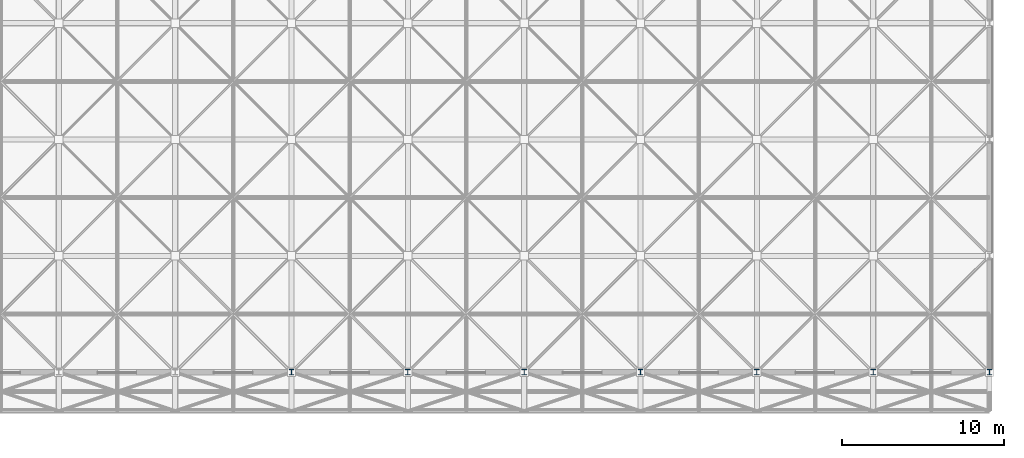
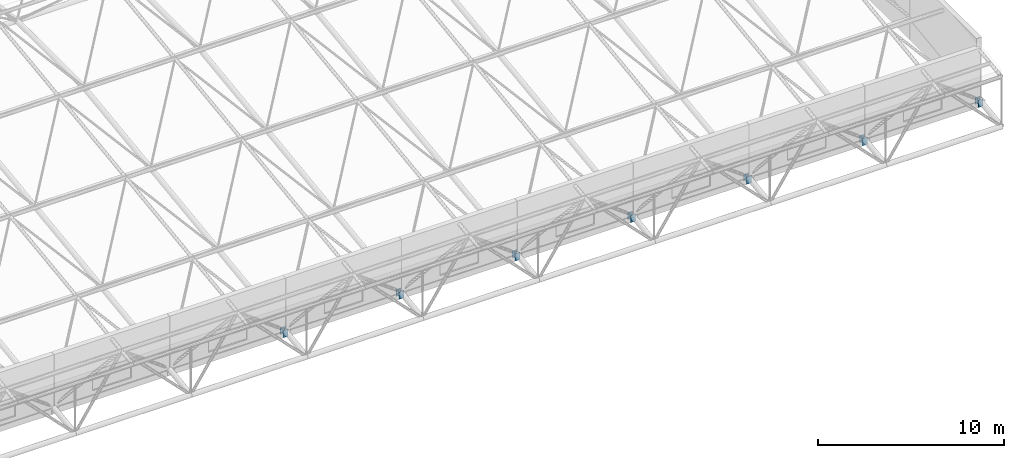
# One storey, part 15 of 103: 7 columns.
"""IFC4 building model written with IfcOpenShell, lengths in metres."""

from ifc_helpers import new_model, si_unit, direction, frame, origin, origin_2d, place, context, subcontext, project, spatial, i_section, extrude, material, material_profile, profile_set, type_object, element, save


model = new_model("IFC4")

# Units and contexts
model_context = context("Model", 3, precision=1e-05, world=origin(), true_north=direction((0.0, 1.0)))
body_context = subcontext(model_context, "Body", "Model", "MODEL_VIEW")
ifc_project = project(units=[si_unit("LENGTHUNIT", "METRE"), si_unit("AREAUNIT", "SQUARE_METRE"), si_unit("VOLUMEUNIT", "CUBIC_METRE"), si_unit("PLANEANGLEUNIT", "RADIAN"), si_unit("MASSUNIT", "GRAM", prefix="KILO")], contexts=[model_context])

# Site, building, storey
site_placement = place(None, origin())
site = spatial("IfcSite", under=ifc_project, at=site_placement, CompositionType="ELEMENT")
building_placement = place(site_placement, origin())
building = spatial("IfcBuilding", under=site, at=building_placement, Name="Thalmaran Polytechnic", CompositionType="ELEMENT")
storey_placement = place(building_placement, frame((0.0, 0.0, 14.39990234375)))
storey = spatial("IfcBuildingStorey", under=building, at=storey_placement, Name="L03", CompositionType="ELEMENT", Elevation=14.39990234375)

# Columns
ifc_material = material(Name="Steel S355", Category="steel")
ifc_material_profile = material_profile(ifc_material, i_section(OverallWidth=0.300048828125, OverallDepth=0.340087890625, WebThickness=0.011962890625, FlangeThickness=0.021484375, at=origin_2d()), Name="HEB 340")
ifc_profile_set = profile_set([ifc_material_profile], Name="Steel S355")
column_type = type_object("IfcColumnType", Name="COL-SC1", PredefinedType="COLUMN", material=ifc_profile_set)
for number, where, z_axis, x_axis, name in (
    (1, (129.60009765625, 0.0, 0.0), (0.0, 0.0, 1.0), (1.0, 0.0, 0.0), "Space-Frame Bearing Pedestal (18,0)"),
    (2, (136.800048828125, 0.0, 0.0), (0.0, 0.0, 1.0), (1.0, 0.0, 0.0), "Space-Frame Bearing Pedestal (19,0)"),
    (3, (144.0, 0.0, 0.0), (0.0, 0.0, 1.0), (1.0, 0.0, 0.0), "Space-Frame Bearing Pedestal (20,0)"),
    (4, (151.199951171875, 0.0, 0.0), (0.0, 0.0, 1.0), (1.0, 0.0, 0.0), "Space-Frame Bearing Pedestal (21,0)"),
    (5, (158.39990234375, 0.0, 0.0), (0.0, 0.0, 1.0), (1.0, 0.0, 0.0), "Space-Frame Bearing Pedestal (22,0)"),
    (6, (165.60009765625, 0.0, 0.0), (0.0, 0.0, 1.0), (1.0, 0.0, 0.0), "Space-Frame Bearing Pedestal (23,0)"),
    (7, (172.800048828125, 0.0, 0.0), (0.0, 0.0, 1.0), (1.0, 0.0, 0.0), "Space-Frame Bearing Pedestal (24,0)"),
):
    element("IfcColumn", number, at=place(storey_placement, frame(where, z_axis=z_axis, x_axis=x_axis)), inside=storey, type_object=column_type, Name=name, PredefinedType="COLUMN", context=body_context, shape_type="SweptSolid", body=[
        extrude(i_section(OverallWidth=0.300048828125, OverallDepth=0.340087890625, WebThickness=0.011962890625, FlangeThickness=0.021484375, at=origin_2d()), origin(), (0.0, 0.0, 1.0), 0.460205078125),
    ])

save(model, "model.ifc")
